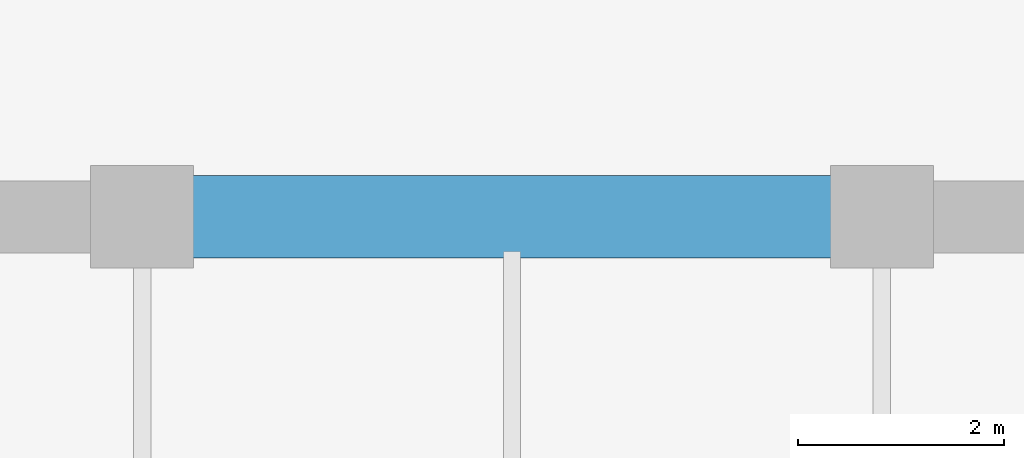
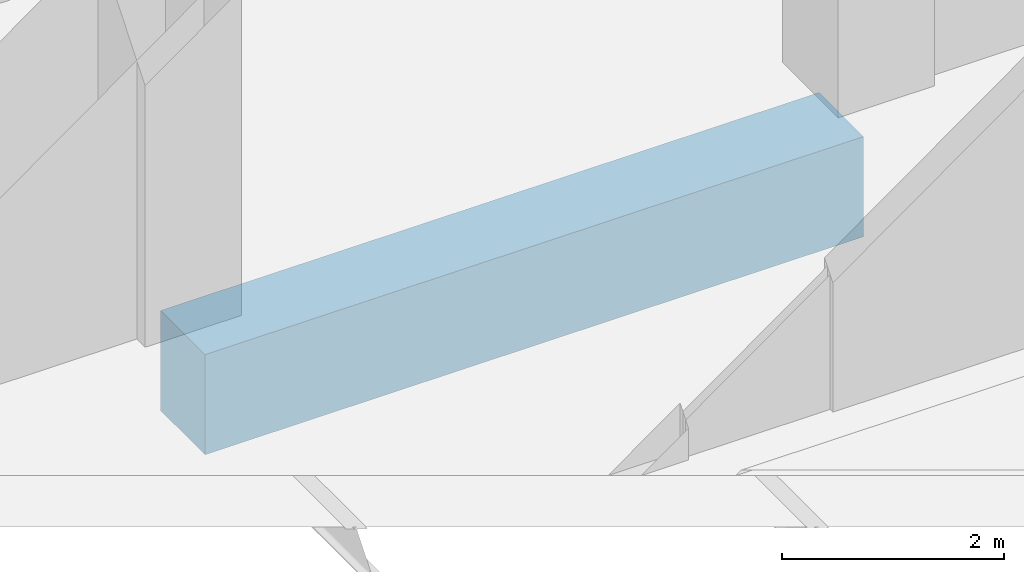
# One storey, part 13 of 36: 1 beam.
"""IFC4 building model written with IfcOpenShell, lengths in metres."""

from ifc_helpers import new_model, si_unit, direction, frame, origin, origin_2d, place, context, subcontext, project, spatial, rectangle, extrude, material, material_profile, profile_set, type_object, element, save


model = new_model("IFC4")

# Units and contexts
model_context = context("Model", 3, precision=1e-05, world=origin(), true_north=direction((0.0, 1.0)))
body_context = subcontext(model_context, "Body", "Model", "MODEL_VIEW")
ifc_project = project(units=[si_unit("LENGTHUNIT", "METRE"), si_unit("AREAUNIT", "SQUARE_METRE"), si_unit("VOLUMEUNIT", "CUBIC_METRE"), si_unit("PLANEANGLEUNIT", "RADIAN"), si_unit("MASSUNIT", "GRAM", prefix="KILO")], contexts=[model_context])

# Site, building, storey
site_placement = place(None, origin())
site = spatial("IfcSite", under=ifc_project, at=site_placement, CompositionType="ELEMENT")
building_placement = place(site_placement, origin())
building = spatial("IfcBuilding", under=site, at=building_placement, Name="Kaelvorn Grand Hotel", CompositionType="ELEMENT")
storey_placement = place(building_placement, frame((0.0, 0.0, 305.699951171875)))
storey = spatial("IfcBuildingStorey", under=building, at=storey_placement, Name="L74", CompositionType="ELEMENT", Elevation=305.699951171875)

# Beam
ifc_material = material(Name="Concrete C60/75", Category="concrete")
ifc_material_profile = material_profile(ifc_material, rectangle(XDim=0.800048828125, YDim=1.10009765625, at=origin_2d()), Name="RC LINTEL 800x1100")
ifc_profile_set = profile_set([ifc_material_profile], Name="Concrete C60/75")
beam_type = type_object("IfcBeamType", Name="BM-LIN-800x1100-C60", PredefinedType="LINTEL", material=ifc_profile_set)
beam_placement = place(storey_placement, frame((23.580078125, 29.39990234375, -0.929931640625), z_axis=(1.0, 0.0, 0.0), x_axis=(0.0, 1.0, 0.0)))
element("IfcBeam", 1, at=beam_placement, inside=storey, type_object=beam_type, Name="L74 Rear-Core Coupling Lintel Beam CB1-01", PredefinedType="LINTEL", context=body_context, shape_type="SweptSolid", body=[
    extrude(rectangle(XDim=0.800048828125, YDim=1.10009765625, at=origin_2d()), origin(), (0.0, 0.0, 1.0), 6.83984375),
])

save(model, "model.ifc")
